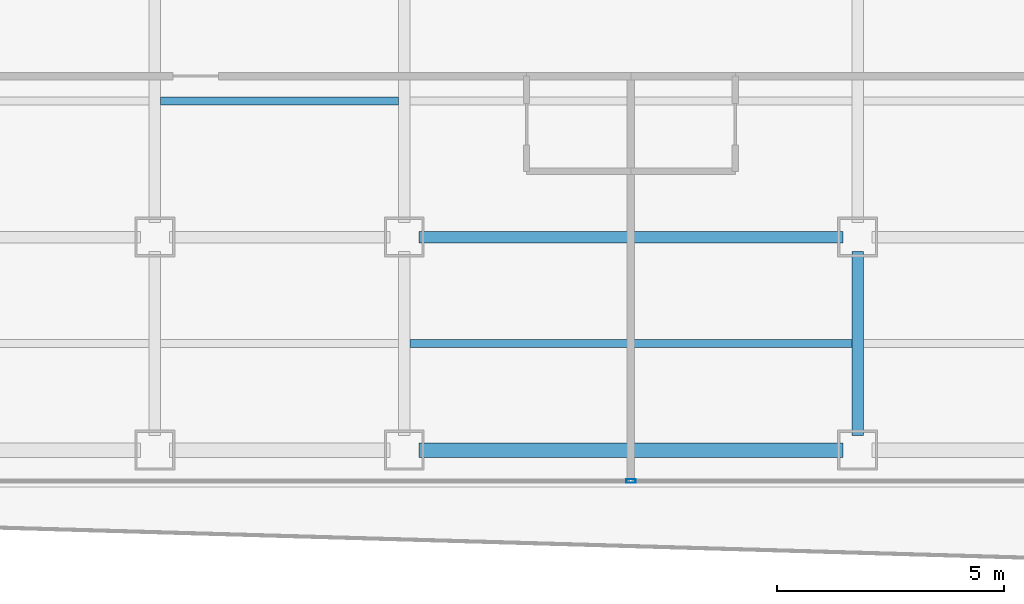
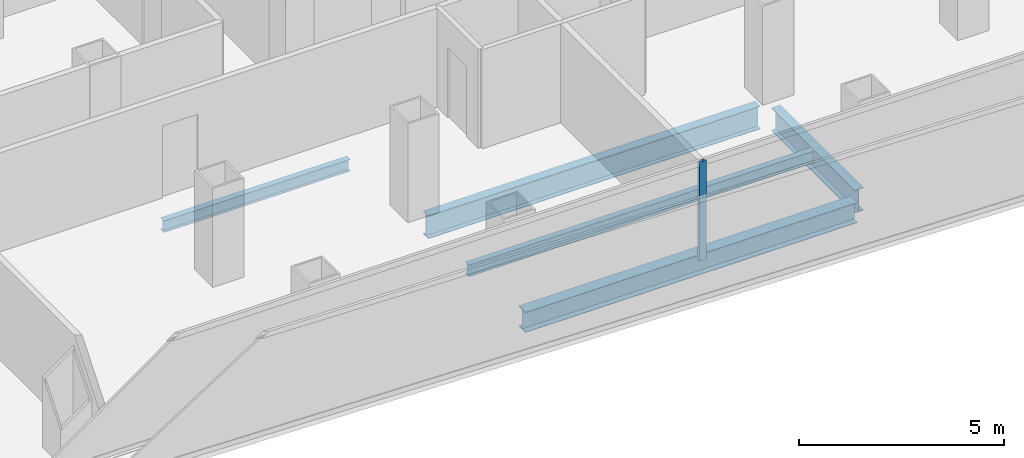
# One storey, part 4 of 21: 5 beams, 1 member, 1 element without a shape of its own.
"""IFC4 building model written with IfcOpenShell, lengths in metres."""

from ifc_helpers import new_model, si_unit, direction, frame, origin, origin_2d, place, context, subcontext, project, spatial, hollow_rectangle, i_section, extrude, source, transform, mapped, material, layer, layer_set, material_profile, profile_set, type_object, element, aggregate, save


model = new_model("IFC4")

# Units and contexts
model_context = context("Model", 3, precision=1e-05, world=origin(), true_north=direction((0.0, 1.0)))
body_context = subcontext(model_context, "Body", "Model", "MODEL_VIEW")
ifc_project = project(units=[si_unit("LENGTHUNIT", "METRE"), si_unit("AREAUNIT", "SQUARE_METRE"), si_unit("VOLUMEUNIT", "CUBIC_METRE"), si_unit("PLANEANGLEUNIT", "RADIAN"), si_unit("MASSUNIT", "GRAM", prefix="KILO")], contexts=[model_context])

# Site, building, storey
site_placement = place(None, origin())
site = spatial("IfcSite", under=ifc_project, at=site_placement, CompositionType="ELEMENT")
building_placement = place(site_placement, origin())
building = spatial("IfcBuilding", under=site, at=building_placement, Name="Kolveth Station Tower", CompositionType="ELEMENT")
storey_placement = place(building_placement, frame((0.0, 0.0, 131.10009765625)))
storey = spatial("IfcBuildingStorey", under=building, at=storey_placement, Name="L36", CompositionType="ELEMENT", Elevation=131.10009765625)

# Beams
ifc_material_1 = material(Name="Steel S355", Category="steel")
ifc_material_profile_1 = material_profile(ifc_material_1, i_section(OverallWidth=0.323974609375, OverallDepth=0.611083984375, WebThickness=0.0126953125, FlangeThickness=0.01904296875, at=origin_2d()), Name="W610x155")
ifc_profile_set_1 = profile_set([ifc_material_profile_1], Name="Steel S355")
beam_type_1 = type_object("IfcBeamType", Name="Beam_SP2", PredefinedType="SPANDREL", material=ifc_profile_set_1)
shared_shape_1 = source(origin(), body_context, "Body", "SweptSolid", [
    extrude(i_section(OverallWidth=0.323974609375, OverallDepth=0.611083984375, WebThickness=0.0126953125, FlangeThickness=0.01904296875, at=origin_2d()), origin(), (0.0, 0.0, 1.0), 9.35986328125),
])
beam_1_placement = place(storey_placement, frame((18.820068359375, 0.800048828125, -0.5556640625), z_axis=(1.0, 0.0, 0.0), x_axis=(0.0, 1.0, 0.0)))
element("IfcBeam", 1, at=beam_1_placement, inside=storey, type_object=beam_type_1, Name="L36 Perimeter Spandrel BM-L36-PS-3", PredefinedType="SPANDREL", context=body_context, shape_type="MappedRepresentation", body=[
    mapped(shared_shape_1, transform((0.0, 0.0, 0.0), x_axis=(1.0, 0.0, 0.0), y_axis=(0.0, 1.0, 0.0), z_axis=(0.0, 0.0, 1.0), scale=1.0)),
])
ifc_material_profile_2 = material_profile(ifc_material_1, i_section(OverallWidth=0.25390625, OverallDepth=0.68798828125, WebThickness=0.01318359375, FlangeThickness=0.02099609375, at=origin_2d()), Name="W690x152")
ifc_profile_set_2 = profile_set([ifc_material_profile_2], Name="Steel S355")
beam_type_2 = type_object("IfcBeamType", Name="Beam_B4", PredefinedType="BEAM", material=ifc_profile_set_2)
shared_shape_2 = source(origin(), body_context, "Body", "SweptSolid", [
    extrude(i_section(OverallWidth=0.25390625, OverallDepth=0.68798828125, WebThickness=0.01318359375, FlangeThickness=0.02099609375, at=origin_2d()), origin(), (0.0, 0.0, 1.0), 9.35986328125),
])
beam_2_placement = place(storey_placement, frame((18.820068359375, 5.5, -0.593994140625), z_axis=(1.0, 0.0, 0.0), x_axis=(0.0, 1.0, 0.0)))
element("IfcBeam", 2, at=beam_2_placement, inside=storey, type_object=beam_type_2, Name="L36 Primary Girder BM-L36-GY55-4", PredefinedType="BEAM", context=body_context, shape_type="MappedRepresentation", body=[
    mapped(shared_shape_2, transform((0.0, 0.0, 0.0), x_axis=(1.0, 0.0, 0.0), y_axis=(0.0, 1.0, 0.0), z_axis=(0.0, 0.0, 1.0), scale=1.0)),
])
shared_shape_3 = source(origin(), body_context, "Body", "SweptSolid", [
    extrude(i_section(OverallWidth=0.25390625, OverallDepth=0.68798828125, WebThickness=0.01318359375, FlangeThickness=0.02099609375, at=origin_2d()), origin(), (0.0, 0.0, 1.0), 4.059814453125),
])
beam_3_placement = place(storey_placement, frame((28.5, 1.1201171875, -0.593994140625), z_axis=(0.0, 1.0, 0.0), x_axis=(-1.0, 0.0, 0.0)))
element("IfcBeam", 3, at=beam_3_placement, inside=storey, type_object=beam_type_2, Name="L36 Primary Girder BM-L36-GX285-1", PredefinedType="BEAM", context=body_context, shape_type="MappedRepresentation", body=[
    mapped(shared_shape_3, transform((0.0, 0.0, 0.0), x_axis=(1.0, 0.0, 0.0), y_axis=(0.0, 1.0, 0.0), z_axis=(0.0, 0.0, 1.0), scale=1.0)),
])
ifc_material_profile_3 = material_profile(ifc_material_1, i_section(OverallWidth=0.1708984375, OverallDepth=0.35205078125, WebThickness=0.0068359375, FlangeThickness=0.009765625, at=origin_2d()), Name="W360x44")
ifc_profile_set_3 = profile_set([ifc_material_profile_3], Name="Steel S355")
beam_type_3 = type_object("IfcBeamType", Name="Beam_J2", PredefinedType="JOIST", material=ifc_profile_set_3)
shared_shape_4 = source(origin(), body_context, "Body", "SweptSolid", [
    extrude(i_section(OverallWidth=0.1708984375, OverallDepth=0.35205078125, WebThickness=0.0068359375, FlangeThickness=0.009765625, at=origin_2d()), origin(), (0.0, 0.0, 1.0), 5.25),
])
beam_4_placement = place(storey_placement, frame((13.125, 8.5, -0.426025390625), z_axis=(1.0, 0.0, 0.0), x_axis=(0.0, 1.0, 0.0)))
element("IfcBeam", 4, at=beam_4_placement, inside=storey, type_object=beam_type_3, Name="L36 Secondary Joist JST-L36-3-2", PredefinedType="JOIST", context=body_context, shape_type="MappedRepresentation", body=[
    mapped(shared_shape_4, transform((0.0, 0.0, 0.0), x_axis=(1.0, 0.0, 0.0), y_axis=(0.0, 1.0, 0.0), z_axis=(0.0, 0.0, 1.0), scale=1.0)),
])
shared_shape_5 = source(origin(), body_context, "Body", "SweptSolid", [
    extrude(i_section(OverallWidth=0.1708984375, OverallDepth=0.35205078125, WebThickness=0.0068359375, FlangeThickness=0.009765625, at=origin_2d()), origin(), (0.0, 0.0, 1.0), 9.75),
])
beam_5_placement = place(storey_placement, frame((18.625, 3.14990234375, -0.426025390625), z_axis=(1.0, 0.0, 0.0), x_axis=(0.0, 1.0, 0.0)))
element("IfcBeam", 5, at=beam_5_placement, inside=storey, type_object=beam_type_3, Name="L36 Secondary Joist JST-L36-4-1", PredefinedType="JOIST", context=body_context, shape_type="MappedRepresentation", body=[
    mapped(shared_shape_5, transform((0.0, 0.0, 0.0), x_axis=(1.0, 0.0, 0.0), y_axis=(0.0, 1.0, 0.0), z_axis=(0.0, 0.0, 1.0), scale=1.0)),
])

# Curtain wall, member
ifc_material_2 = material(Name="Aluminium 6063-T6 and low-E dark glass", Category="aluminium")
ifc_layer = layer(ifc_material_2, 0.18994140625)
ifc_layer_set = layer_set([ifc_layer], Name="Aluminium 6063-T6 and low-E dark glass")
curtain_wall_type = type_object("IfcCurtainWallType", Name="CurtainWall_CW-Z2", PredefinedType="NOTDEFINED", material=ifc_layer_set)
curtain_wall_placement = place(storey_placement, origin())
curtain_wall = element("IfcCurtainWall", 6, at=curtain_wall_placement, inside=storey, type_object=curtain_wall_type, Name="L36 Inner Thermal Curtain Wall 12", PredefinedType="NOTDEFINED")
ifc_material_3 = material(Name="Black anodized aluminium 6063-T6", Category="aluminium")
ifc_material_profile_4 = material_profile(ifc_material_3, hollow_rectangle(XDim=0.080078125, YDim=0.199951171875, WallThickness=0.0048828125, at=origin_2d()), Name="ALU-80x200x5")
ifc_profile_set_4 = profile_set([ifc_material_profile_4], Name="Black anodized aluminium 6063-T6")
member_type = type_object("IfcMemberType", Name="Mullion_ML2", PredefinedType="MULLION", material=ifc_profile_set_4)
shared_shape_6 = source(origin(), body_context, "Body", "SweptSolid", [
    extrude(hollow_rectangle(XDim=0.080078125, YDim=0.199951171875, WallThickness=0.0048828125, at=origin_2d()), origin(), (0.0, 0.0, 1.0), 2.949951171875),
])
member_placement = place(storey_placement, frame((23.5, 0.1201171875, 0.0), z_axis=(0.0, 0.0, 1.0), x_axis=(0.0, 1.0, 0.0)))
member = element("IfcMember", 7, at=member_placement, type_object=member_type, Name="CW-Z2 mullion 2", PredefinedType="MULLION", context=body_context, shape_type="MappedRepresentation", body=[
    mapped(shared_shape_6, transform((0.0, 0.0, 0.0), x_axis=(1.0, 0.0, 0.0), y_axis=(0.0, 1.0, 0.0), z_axis=(0.0, 0.0, 1.0), scale=1.0)),
])
aggregate(curtain_wall, [member])

save(model, "model.ifc")
